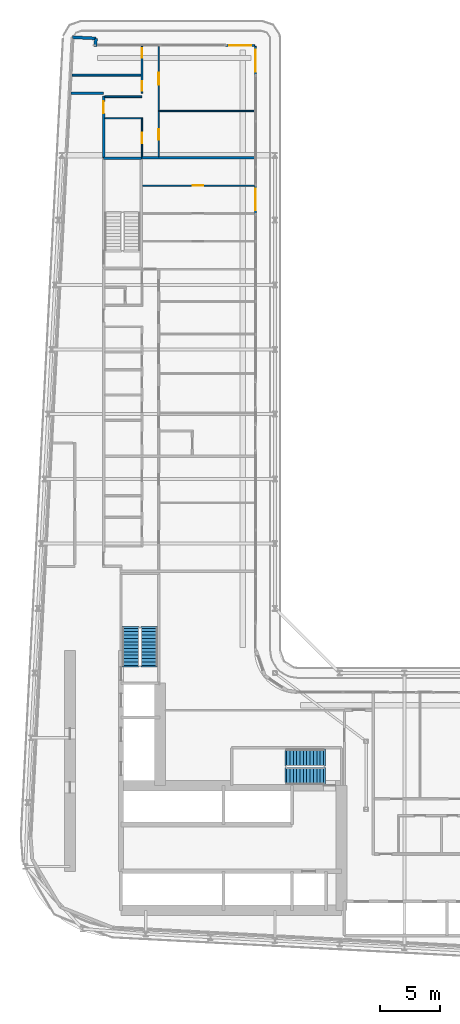
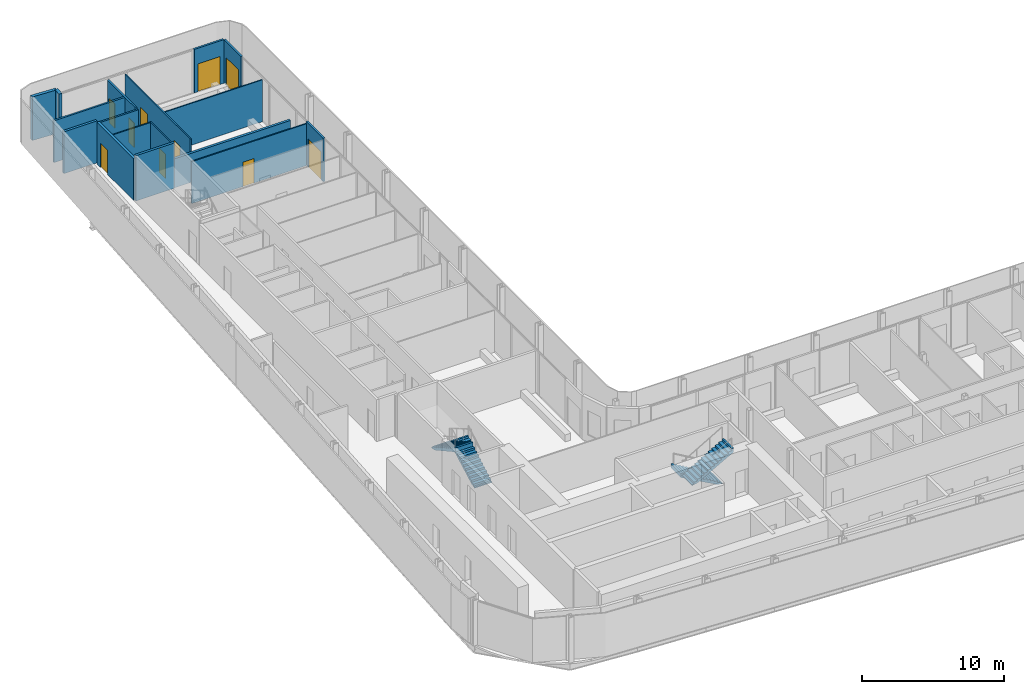
# One storey, part 20 of 28: 17 walls, 10 doors, 4 stair flights, 10 openings, 2 elements without a shape of their own.
"""IFC4 building model written with IfcOpenShell, lengths in metres."""

import ifcopenshell
import ifcopenshell.guid

model = None  # the IFC model being written
_history = None  # IfcOwnerHistory: only IFC2X3 demands one
_inside = {}  # id of a spatial element -> (the spatial element, [elements in it])
_under = {}  # id of a project, library or spatial element -> (it, [spatial elements below it])
_declared = {}  # id of a project -> (the project, [libraries it declares])
_typed = {}  # id of a type object -> (the type object, [elements of that type])
_made_of = {}  # id of a material, layer set ... -> (it, [elements and type objects made of it])


def new_model(schema):
    """Start an empty IFC model of exactly this schema.

    Asked for "IFC4X3", IfcOpenShell would pick the latest addendum, in which some entities
    have other attributes; the version numbers below select the first issue.
    IFC2X3 requires an IfcOwnerHistory on every rooted entity: one is made here for all.
    """
    global model, _history
    if schema == "IFC4X3":
        model = ifcopenshell.file(schema_version=(4, 3, 0, 0))
    else:
        model = ifcopenshell.file(schema=schema)
    _inside.clear()
    _under.clear()
    _declared.clear()
    _typed.clear()
    _made_of.clear()
    _history = None
    if model.schema == "IFC2X3":
        org = make("IfcOrganization", Name="unknown")
        user = make(
            "IfcPersonAndOrganization",
            ThePerson=make("IfcPerson", FamilyName="unknown"),
            TheOrganization=org,
        )
        app = make(
            "IfcApplication",
            ApplicationDeveloper=org,
            Version="unknown",
            ApplicationFullName="unknown",
            ApplicationIdentifier="unknown",
        )
        _history = make(
            "IfcOwnerHistory",
            OwningUser=user,
            OwningApplication=app,
            ChangeAction="ADDED",
            CreationDate=0,
        )
    return model


def make(cls, **values):
    """One entity of the class cls with the attributes given. An attribute that is None is left unset."""
    return model.create_entity(
        cls, **{name: value for name, value in values.items() if value is not None}
    )


def rooted(cls, **values):
    """An entity with a GlobalId (a new one), such as an element, a storey or a relation."""
    return make(cls, GlobalId=ifcopenshell.guid.new(), OwnerHistory=_history, **values)


def si_unit(unit_type, name, prefix=None):
    """IfcSIUnit, for example si_unit("LENGTHUNIT", "METRE", prefix="MILLI")."""
    return make("IfcSIUnit", UnitType=unit_type, Prefix=prefix, Name=name)


def assignment(units):
    """IfcUnitAssignment: the units of a project."""
    return None if units is None else make("IfcUnitAssignment", Units=units)


def point(xyz):
    """IfcCartesianPoint."""
    return None if xyz is None else make("IfcCartesianPoint", Coordinates=xyz)


def direction(xyz):
    """IfcDirection."""
    return None if xyz is None else make("IfcDirection", DirectionRatios=xyz)


def frame(location, z_axis=None, x_axis=None):
    """IfcAxis2Placement3D, a coordinate frame: its origin and axes. An axis left out is left unset."""
    return make(
        "IfcAxis2Placement3D",
        Location=point(location),
        Axis=direction(z_axis),
        RefDirection=direction(x_axis),
    )


def frame_2d(location, x_axis=None):
    """IfcAxis2Placement2D, a coordinate frame in the plane: its origin and x axis."""
    return make(
        "IfcAxis2Placement2D", Location=point(location), RefDirection=direction(x_axis)
    )


def origin():
    """The frame at (0, 0, 0) with its axes left unset."""
    return frame((0.0, 0.0, 0.0))


def place(relative_to, where):
    """IfcLocalPlacement: puts the frame where relative to a parent placement (None: the world)."""
    return make(
        "IfcLocalPlacement", PlacementRelTo=relative_to, RelativePlacement=where
    )


def context(
    kind, dimensions, precision=None, world=None, true_north=None, identifier=None
):
    """IfcGeometricRepresentationContext, for example the 3D "Model" context."""
    return make(
        "IfcGeometricRepresentationContext",
        ContextIdentifier=identifier,
        ContextType=kind,
        CoordinateSpaceDimension=dimensions,
        Precision=precision,
        WorldCoordinateSystem=world,
        TrueNorth=true_north,
    )


def subcontext(parent, identifier, kind, view, scale=None):
    """IfcGeometricRepresentationSubContext, for example "Body" below "Model"."""
    return make(
        "IfcGeometricRepresentationSubContext",
        ContextIdentifier=identifier,
        ContextType=kind,
        ParentContext=parent,
        TargetScale=scale,
        TargetView=view,
    )


def project(units=None, contexts=None):
    """IfcProject with its units and contexts."""
    return rooted(
        "IfcProject",
        Name="project",
        RepresentationContexts=contexts,
        UnitsInContext=assignment(units),
    )


def spatial(cls, under=None, at=None, **own):
    """A site, building, storey or space (cls), placed at a placement, below another one or the project."""
    s = rooted(cls, ObjectPlacement=at, **own)
    if under is not None:
        _under.setdefault(under.id(), (under, []))[1].append(s)
    return s


def polyline(points):
    """IfcPolyline through the points."""
    return make("IfcPolyline", Points=[point(p) for p in points])


def profile(cls, at=None, kind="AREA", **sizes):
    """A parametric profile (cls). Its sizes go by their IFC names, for example OverallWidth=200.0."""
    return make(cls, ProfileType=kind, Position=at, **sizes)


def rectangle(**sizes):
    """IfcRectangleProfileDef."""
    return profile("IfcRectangleProfileDef", **sizes)


def outline(outer, holes=None, kind="AREA"):
    """IfcArbitraryClosedProfileDef: a profile drawn as a closed curve; with holes, ...WithVoids."""
    if holes is None:
        return make("IfcArbitraryClosedProfileDef", ProfileType=kind, OuterCurve=outer)
    return make(
        "IfcArbitraryProfileDefWithVoids",
        ProfileType=kind,
        OuterCurve=outer,
        InnerCurves=holes,
    )


def extrude(swept, where, along, depth):
    """IfcExtrudedAreaSolid: the profile swept, set in the frame where, extruded along a direction by depth."""
    return make(
        "IfcExtrudedAreaSolid",
        SweptArea=swept,
        Position=where,
        ExtrudedDirection=direction(along),
        Depth=depth,
    )


def shape(context_of_items, identifier, shape_type, items):
    """IfcShapeRepresentation: the items that make up one representation, for example the "Body"."""
    return make(
        "IfcShapeRepresentation",
        ContextOfItems=context_of_items,
        RepresentationIdentifier=identifier,
        RepresentationType=shape_type,
        Items=items,
    )


def source(mapping_origin, context_of_items, identifier, shape_type, items):
    """IfcRepresentationMap: a shape defined once, which mapped items show again and again."""
    return make(
        "IfcRepresentationMap",
        MappingOrigin=mapping_origin,
        MappedRepresentation=shape(context_of_items, identifier, shape_type, items),
    )


def transform(
    local_origin,
    x_axis=None,
    y_axis=None,
    z_axis=None,
    scale=None,
    scale2=None,
    scale3=None,
    uniform=True,
):
    """IfcCartesianTransformationOperator3D, or its non-uniform kind. x_axis, y_axis, z_axis: its Axis1, 2, 3."""
    if uniform:
        return make(
            "IfcCartesianTransformationOperator3D",
            Axis1=direction(x_axis),
            Axis2=direction(y_axis),
            LocalOrigin=point(local_origin),
            Scale=scale,
            Axis3=direction(z_axis),
        )
    return make(
        "IfcCartesianTransformationOperator3DnonUniform",
        Axis1=direction(x_axis),
        Axis2=direction(y_axis),
        LocalOrigin=point(local_origin),
        Scale=scale,
        Axis3=direction(z_axis),
        Scale2=scale2,
        Scale3=scale3,
    )


def mapped(mapping_source, mapping_target):
    """IfcMappedItem: shows the shape of a source again, moved by a transform."""
    return make(
        "IfcMappedItem", MappingSource=mapping_source, MappingTarget=mapping_target
    )


def material(Name=None, Category=None):
    """IfcMaterial."""
    return make("IfcMaterial", Name=Name, Category=Category)


def layer(
    of_material, thickness, ventilated=None, Name=None, Category=None, Priority=None
):
    """IfcMaterialLayer: one layer of a wall or slab, of a material (None: an air gap)."""
    return make(
        "IfcMaterialLayer",
        Material=of_material,
        LayerThickness=thickness,
        IsVentilated=ventilated,
        Name=Name,
        Category=Category,
        Priority=Priority,
    )


def layer_set(layers, Name=None):
    """IfcMaterialLayerSet."""
    return make("IfcMaterialLayerSet", MaterialLayers=layers, LayerSetName=Name)


def made_of(thing, what):
    """Note that an element or type object is made of a material, layer set ...; save() writes the relation."""
    if what is not None:
        _made_of.setdefault(what.id(), (what, []))[1].append(thing)
    return thing


def type_object(cls, material=None, **own):
    """A type object (cls), such as IfcWallType, which elements share."""
    return made_of(rooted(cls, **own), material)


def element(
    cls,
    number,
    at=None,
    inside=None,
    cuts=None,
    type_object=None,
    material=None,
    context=None,
    identifier="Body",
    shape_type=None,
    held_by="IfcProductDefinitionShape",
    body=None,
    shapes=None,
    **own,
):
    """One element of the class cls, such as IfcWall. Its Tag is "e" and its number.

    at: its placement. inside: the storey or other place that contains it. cuts: it is an
    opening in that element (IfcRelVoidsElement). A single representation is given by context,
    identifier, shape_type and body (its items); several are given by shapes. held_by: the class
    of the entity that holds the representations. save() writes the other relations.
    """
    e = rooted(cls, Tag="e%d" % number, ObjectPlacement=at, **own)
    if body is not None:
        shapes = [shape(context, identifier, shape_type, body)]
    if shapes is not None:
        e.Representation = make(held_by, Representations=shapes)
    if inside is not None:
        _inside.setdefault(inside.id(), (inside, []))[1].append(e)
    if cuts is not None:
        rooted(
            "IfcRelVoidsElement", RelatingBuildingElement=cuts, RelatedOpeningElement=e
        )
    if type_object is not None:
        _typed.setdefault(type_object.id(), (type_object, []))[1].append(e)
    return made_of(e, material)


def fill(opening, filler):
    """IfcRelFillsElement: the door or window that sits in an opening."""
    return rooted(
        "IfcRelFillsElement",
        RelatingOpeningElement=opening,
        RelatedBuildingElement=filler,
    )


def aggregate(whole, parts):
    """IfcRelAggregates: a whole, such as a stair, and the parts it consists of."""
    return rooted("IfcRelAggregates", RelatingObject=whole, RelatedObjects=parts)


def save(model, path):
    """Write the relations noted so far, then the file.

    IfcRelAggregates (storeys below a building ...), IfcRelContainedInSpatialStructure (elements
    in a storey), IfcRelDefinesByType, IfcRelAssociatesMaterial and IfcRelDeclares: one each for
    every whole, place, type object, material and project.
    """
    for whole, parts in _under.values():
        aggregate(whole, parts)
    for where, things in _inside.values():
        rooted(
            "IfcRelContainedInSpatialStructure",
            RelatedElements=things,
            RelatingStructure=where,
        )
    for kind, things in _typed.values():
        rooted("IfcRelDefinesByType", RelatedObjects=things, RelatingType=kind)
    for what, things in _made_of.values():
        rooted("IfcRelAssociatesMaterial", RelatedObjects=things, RelatingMaterial=what)
    for by, libraries in _declared.values():
        rooted("IfcRelDeclares", RelatingContext=by, RelatedDefinitions=libraries)
    model.write(path)


model = new_model("IFC4")

# Units and contexts
model_context = context("Model", 3, precision=1e-05, world=origin(), true_north=direction((0.0, 1.0)))
body_context = subcontext(model_context, "Body", "Model", "MODEL_VIEW")
ifc_project = project(units=[si_unit("LENGTHUNIT", "METRE"), si_unit("AREAUNIT", "SQUARE_METRE"), si_unit("VOLUMEUNIT", "CUBIC_METRE"), si_unit("PLANEANGLEUNIT", "RADIAN"), si_unit("MASSUNIT", "GRAM", prefix="KILO")], contexts=[model_context])

# Site, building, storey
site_placement = place(None, origin())
site = spatial("IfcSite", under=ifc_project, at=site_placement, CompositionType="ELEMENT")
building_placement = place(site_placement, origin())
building = spatial("IfcBuilding", under=site, at=building_placement, Name="Kheshtan School and Residences Tower", CompositionType="ELEMENT")
storey_placement = place(building_placement, frame((0.0, 0.0, 125.300048828125)))
storey = spatial("IfcBuildingStorey", under=building, at=storey_placement, Name="L29", CompositionType="ELEMENT", Elevation=125.300048828125)

# Wall
ifc_material_1 = material(Name="Gypsum board on steel studs with fire boards", Category="steel")
ifc_layer_1 = layer(ifc_material_1, 0.199951171875)
ifc_layer_set_1 = layer_set([ifc_layer_1], Name="Corridor wall 200")
wall_type_1 = type_object("IfcWallType", Name="Corridor wall 200", PredefinedType="PARTITIONING", material=ifc_layer_set_1)
wall_1_placement = place(storey_placement, frame((30.584716796875, 94.0, 0.0), z_axis=(0.0, 0.0, 1.0), x_axis=(1.0, 0.0, 0.0)))
element("IfcWall", 1, at=wall_1_placement, inside=storey, type_object=wall_type_1, Name="Partition L29-002", PredefinedType="PARTITIONING", context=body_context, shape_type="SweptSolid", body=[
    extrude(rectangle(XDim=2.71533203125, YDim=0.199951171875, at=frame_2d((1.357666015625, 0.0))), origin(), (0.0, 0.0, 1.0), 3.599853515625),
])

# Wall, opening, door
wall_2_placement = place(storey_placement, frame((33.300048828125, 88.60009765625, 0.0), z_axis=(0.0, 0.0, 1.0), x_axis=(0.0, 1.0, 0.0)))
wall_2 = element("IfcWall", 2, at=wall_2_placement, inside=storey, type_object=wall_type_1, Name="Partition L29-004", PredefinedType="PARTITIONING", context=body_context, shape_type="SweptSolid", body=[
    extrude(rectangle(XDim=5.1748046875, YDim=0.199951171875, at=frame_2d((2.58740234375, 0.0))), origin(), (0.0, 0.0, 1.0), 3.599853515625),
])
opening_1_placement = place(wall_2_placement, frame((3.699951171875, 0.0, 0.0)))
opening_1 = element("IfcOpeningElement", 3, at=opening_1_placement, cuts=wall_2, Name="Opening D29-059", PredefinedType="OPENING", context=body_context, shape_type="SweptSolid", body=[
    extrude(rectangle(XDim=1.0, YDim=2.10009765625, at=frame_2d((0.5, 1.050048828125))), frame((0.0, 0.10986328125, 0.0), z_axis=(0.0, -1.0, 0.0), x_axis=(1.0, 0.0, 0.0)), (0.0, 0.0, 1.0), 0.219970703125),
])
ifc_material_2 = material(Name="Steel-framed fire-resisting door leaf", Category="steel")
door_type_1 = type_object("IfcDoorType", Name="Fire door FD30S 1000 x 2100", OperationType="SINGLE_SWING_LEFT", PredefinedType="DOOR", material=ifc_material_2)
shared_shape_1 = source(origin(), body_context, "Body", "SweptSolid", [
    extrude(rectangle(XDim=1.0, YDim=2.10009765625, at=frame_2d((0.5, 1.050048828125))), frame((0.0, 0.02490234375, 0.0), z_axis=(0.0, -1.0, 0.0), x_axis=(1.0, 0.0, 0.0)), (0.0, 0.0, 1.0), 0.050048828125),
])
door_1_placement = place(opening_1_placement, origin())
door_1 = element("IfcDoor", 4, at=door_1_placement, inside=storey, type_object=door_type_1, Name="Door D29-059", OperationType="SINGLE_SWING_RIGHT", OverallHeight=2.10009765625, OverallWidth=1.0, PredefinedType="DOOR", context=body_context, shape_type="MappedRepresentation", body=[
    mapped(shared_shape_1, transform((0.0, 0.0, 0.0), x_axis=(1.0, 0.0, 0.0), y_axis=(0.0, 1.0, 0.0), z_axis=(0.0, 0.0, 1.0), scale=1.0)),
])
fill(opening_1, door_1)

# Walls
ifc_material_3 = material(Name="Concrete C40/50 with ceramic cladding and mineral wool insulation", Category="concrete")
ifc_layer_2 = layer(ifc_material_3, 0.25)
ifc_layer_set_2 = layer_set([ifc_layer_2], Name="External wall 250 ceramic clad")
wall_type_2 = type_object("IfcWallType", Name="External wall 250 ceramic clad", PredefinedType="SOLIDWALL", material=ifc_layer_set_2)
wall_3_placement = place(storey_placement, frame((30.705078125, 98.6640625, 0.0), z_axis=(0.0, 0.0, 1.0), x_axis=(0.998577785791, -0.053314216913, 0.0)))
element("IfcWall", 5, at=wall_3_placement, inside=storey, type_object=wall_type_2, Name="External wall L29 5", PredefinedType="SOLIDWALL", context=body_context, shape_type="SweptSolid", body=[
    extrude(rectangle(XDim=1.95068359375, YDim=0.25, at=frame_2d((0.975341796875, 0.0))), origin(), (0.0, 0.0, 1.0), 3.75),
])
wall_4_placement = place(storey_placement, frame((32.653076171875, 98.56005859375, 0.0), z_axis=(0.0, 0.0, 1.0), x_axis=(-0.054093451632, -0.998535877418, 0.0)))
element("IfcWall", 6, at=wall_4_placement, inside=storey, type_object=wall_type_2, Name="External wall L29 6", PredefinedType="SOLIDWALL", context=body_context, shape_type="SweptSolid", body=[
    extrude(rectangle(XDim=0.66796875, YDim=0.25, at=frame_2d((0.333984375, 0.0))), origin(), (0.0, 0.0, 1.0), 3.75),
])

# Wall, opening, door
ifc_material_4 = material(Name="Aluminium frame wall with insulated infill", Category="aluminium")
ifc_layer_3 = layer(ifc_material_4, 0.14990234375)
ifc_layer_set_3 = layer_set([ifc_layer_3], Name="Glazing frame wall 150")
wall_type_3 = type_object("IfcWallType", Name="Glazing frame wall 150", PredefinedType="SOLIDWALL", material=ifc_layer_set_3)
wall_5_placement = place(storey_placement, frame((43.5, 97.97509765625, 0.0), z_axis=(0.0, 0.0, 1.0), x_axis=(1.0, 0.0, 0.0)))
wall_5 = element("IfcWall", 7, at=wall_5_placement, inside=storey, type_object=wall_type_3, Name="Balcony door wall L29 7.1", PredefinedType="SOLIDWALL", context=body_context, shape_type="SweptSolid", body=[
    extrude(rectangle(XDim=2.39990234375, YDim=0.14990234375, at=frame_2d((1.199951171875, 0.0))), origin(), (0.0, 0.0, 1.0), 3.75),
])
opening_2_placement = place(wall_5_placement, frame((0.300048828125, 0.0, 0.0)))
opening_2 = element("IfcOpeningElement", 8, at=opening_2_placement, cuts=wall_5, Name="Opening BD", PredefinedType="OPENING", context=body_context, shape_type="SweptSolid", body=[
    extrude(rectangle(XDim=1.800048828125, YDim=2.39990234375, at=frame_2d((0.89990234375, 1.199951171875))), frame((0.0, 0.0849609375, 0.0), z_axis=(0.0, -1.0, 0.0), x_axis=(1.0, 0.0, 0.0)), (0.0, 0.0, 1.0), 0.169921875),
])
ifc_material_5 = material(Name="Clear low-e glass in thermally broken aluminium frame", Category="aluminium")
door_type_2 = type_object("IfcDoorType", Name="Balcony sliding door", OperationType="SLIDING_TO_LEFT", PredefinedType="DOOR", material=ifc_material_5)
shared_shape_2 = source(origin(), body_context, "Body", "SweptSolid", [
    extrude(rectangle(XDim=1.800048828125, YDim=2.39990234375, at=frame_2d((0.89990234375, 1.199951171875))), frame((0.0, 0.02490234375, 0.0), z_axis=(0.0, -1.0, 0.0), x_axis=(1.0, 0.0, 0.0)), (0.0, 0.0, 1.0), 0.050048828125),
])
door_2_placement = place(opening_2_placement, origin())
door_2 = element("IfcDoor", 9, at=door_2_placement, inside=storey, type_object=door_type_2, Name="Balcony door L29 7.1", OperationType="SLIDING_TO_LEFT", OverallHeight=2.39990234375, OverallWidth=1.800048828125, PredefinedType="DOOR", context=body_context, shape_type="MappedRepresentation", body=[
    mapped(shared_shape_2, transform((0.0, 0.0, 0.0), x_axis=(1.0, 0.0, 0.0), y_axis=(0.0, 1.0, 0.0), z_axis=(0.0, 0.0, 1.0), scale=1.0)),
])
fill(opening_2, door_2)

wall_6_placement = place(storey_placement, frame((45.97509765625, 97.89990234375, 0.0), z_axis=(0.0, 0.0, 1.0), x_axis=(0.0, -1.0, 0.0)))
wall_6 = element("IfcWall", 10, at=wall_6_placement, inside=storey, type_object=wall_type_3, Name="Balcony door wall L29 8.1", PredefinedType="SOLIDWALL", context=body_context, shape_type="SweptSolid", body=[
    extrude(rectangle(XDim=2.39990234375, YDim=0.14990234375, at=frame_2d((1.199951171875, 0.0))), origin(), (0.0, 0.0, 1.0), 3.75),
])
opening_3_placement = place(wall_6_placement, frame((0.300048828125, 0.0, 0.0)))
opening_3 = element("IfcOpeningElement", 11, at=opening_3_placement, cuts=wall_6, Name="Opening BD", PredefinedType="OPENING", context=body_context, shape_type="SweptSolid", body=[
    extrude(rectangle(XDim=1.800048828125, YDim=2.39990234375, at=frame_2d((0.89990234375, 1.199951171875))), frame((0.0, 0.0849609375, 0.0), z_axis=(0.0, -1.0, 0.0), x_axis=(1.0, 0.0, 0.0)), (0.0, 0.0, 1.0), 0.169921875),
])
door_3_placement = place(opening_3_placement, origin())
door_3 = element("IfcDoor", 12, at=door_3_placement, inside=storey, type_object=door_type_2, Name="Balcony door L29 8.1", OperationType="SLIDING_TO_LEFT", OverallHeight=2.39990234375, OverallWidth=1.800048828125, PredefinedType="DOOR", context=body_context, shape_type="MappedRepresentation", body=[
    mapped(shared_shape_2, transform((0.0, 0.0, 0.0), x_axis=(1.0, 0.0, 0.0), y_axis=(0.0, 1.0, 0.0), z_axis=(0.0, 0.0, 1.0), scale=1.0)),
])
fill(opening_3, door_3)

wall_7_placement = place(storey_placement, frame((45.97509765625, 86.305908203125, 0.0), z_axis=(0.0, 0.0, 1.0), x_axis=(0.0, -1.0, 0.0)))
wall_7 = element("IfcWall", 13, at=wall_7_placement, inside=storey, type_object=wall_type_3, Name="Balcony door wall L29 8.2", PredefinedType="SOLIDWALL", context=body_context, shape_type="SweptSolid", body=[
    extrude(rectangle(XDim=2.39990234375, YDim=0.14990234375, at=frame_2d((1.199951171875, 0.0))), origin(), (0.0, 0.0, 1.0), 3.75),
])
opening_4_placement = place(wall_7_placement, frame((0.300048828125, 0.0, 0.0)))
opening_4 = element("IfcOpeningElement", 14, at=opening_4_placement, cuts=wall_7, Name="Opening BD", PredefinedType="OPENING", context=body_context, shape_type="SweptSolid", body=[
    extrude(rectangle(XDim=1.800048828125, YDim=2.39990234375, at=frame_2d((0.89990234375, 1.199951171875))), frame((0.0, 0.0849609375, 0.0), z_axis=(0.0, -1.0, 0.0), x_axis=(1.0, 0.0, 0.0)), (0.0, 0.0, 1.0), 0.169921875),
])
door_4_placement = place(opening_4_placement, origin())
door_4 = element("IfcDoor", 15, at=door_4_placement, inside=storey, type_object=door_type_2, Name="Balcony door L29 8.2", OperationType="SLIDING_TO_LEFT", OverallHeight=2.39990234375, OverallWidth=1.800048828125, PredefinedType="DOOR", context=body_context, shape_type="MappedRepresentation", body=[
    mapped(shared_shape_2, transform((0.0, 0.0, 0.0), x_axis=(1.0, 0.0, 0.0), y_axis=(0.0, 1.0, 0.0), z_axis=(0.0, 0.0, 1.0), scale=1.0)),
])
fill(opening_4, door_4)

# Wall
ifc_material_6 = material(Name="Gypsum board on steel studs", Category="steel")
ifc_layer_4 = layer(ifc_material_6, 0.10009765625)
ifc_layer_set_4 = layer_set([ifc_layer_4], Name="Gypsum partition 100")
wall_type_4 = type_object("IfcWallType", Name="Gypsum partition 100", PredefinedType="PARTITIONING", material=ifc_layer_set_4)
wall_8_placement = place(storey_placement, frame((33.39990234375, 91.89990234375, 0.0), z_axis=(0.0, 0.0, 1.0), x_axis=(1.0, 0.0, 0.0)))
element("IfcWall", 16, at=wall_8_placement, inside=storey, type_object=wall_type_4, Name="Partition L29-018", PredefinedType="PARTITIONING", context=body_context, shape_type="SweptSolid", body=[
    extrude(rectangle(XDim=3.050048828125, YDim=0.10009765625, at=frame_2d((1.52490234375, 0.0))), origin(), (0.0, 0.0, 1.0), 3.599853515625),
])

# Wall, opening, door
wall_9_placement = place(storey_placement, frame((36.5, 88.699951171875, 0.0), z_axis=(0.0, 0.0, 1.0), x_axis=(0.0, 1.0, 0.0)))
wall_9 = element("IfcWall", 17, at=wall_9_placement, inside=storey, type_object=wall_type_4, Name="Partition L29-027", PredefinedType="PARTITIONING", context=body_context, shape_type="SweptSolid", body=[
    extrude(rectangle(XDim=3.25, YDim=0.10009765625, at=frame_2d((1.625, 0.0))), origin(), (0.0, 0.0, 1.0), 3.599853515625),
])
opening_5_placement = place(wall_9_placement, frame((1.10009765625, 0.0, 0.0)))
opening_5 = element("IfcOpeningElement", 18, at=opening_5_placement, cuts=wall_9, Name="Opening D29-060", PredefinedType="OPENING", context=body_context, shape_type="SweptSolid", body=[
    extrude(rectangle(XDim=0.89990234375, YDim=2.10009765625, at=frame_2d((0.449951171875, 1.050048828125))), frame((0.0, 0.06005859375, 0.0), z_axis=(0.0, -1.0, 0.0), x_axis=(1.0, 0.0, 0.0)), (0.0, 0.0, 1.0), 0.1201171875),
])
ifc_material_7 = material(Name="Veneered timber door leaf", Category="wood")
door_type_3 = type_object("IfcDoorType", Name="Door 900 x 2100", OperationType="SINGLE_SWING_LEFT", PredefinedType="DOOR", material=ifc_material_7)
shared_shape_3 = source(origin(), body_context, "Body", "SweptSolid", [
    extrude(rectangle(XDim=0.89990234375, YDim=2.10009765625, at=frame_2d((0.449951171875, 1.050048828125))), frame((0.0, 0.02490234375, 0.0), z_axis=(0.0, -1.0, 0.0), x_axis=(1.0, 0.0, 0.0)), (0.0, 0.0, 1.0), 0.050048828125),
])
door_5_placement = place(opening_5_placement, origin())
door_5 = element("IfcDoor", 19, at=door_5_placement, inside=storey, type_object=door_type_3, Name="Door D29-060", OperationType="SINGLE_SWING_LEFT", OverallHeight=2.10009765625, OverallWidth=0.89990234375, PredefinedType="DOOR", context=body_context, shape_type="MappedRepresentation", body=[
    mapped(shared_shape_3, transform((0.0, 0.0, 0.0), x_axis=(1.0, 0.0, 0.0), y_axis=(0.0, 1.0, 0.0), z_axis=(0.0, 0.0, 1.0), scale=1.0)),
])
fill(opening_5, door_5)

wall_10_placement = place(storey_placement, frame((36.549072265625, 86.27490234375, 0.0), z_axis=(0.0, 0.0, 1.0), x_axis=(1.0, 0.0, 0.0)))
wall_10 = element("IfcWall", 20, at=wall_10_placement, inside=storey, type_object=wall_type_4, Name="Partition L29-031", PredefinedType="PARTITIONING", context=body_context, shape_type="SweptSolid", body=[
    extrude(rectangle(XDim=9.350830078125, YDim=0.10009765625, at=frame_2d((4.67529296875, 0.0))), origin(), (0.0, 0.0, 1.0), 3.599853515625),
])
opening_6_placement = place(wall_10_placement, frame((4.176025390625, 0.0, 0.0)))
opening_6 = element("IfcOpeningElement", 21, at=opening_6_placement, cuts=wall_10, Name="Opening D29-056", PredefinedType="OPENING", context=body_context, shape_type="SweptSolid", body=[
    extrude(rectangle(XDim=0.89990234375, YDim=2.10009765625, at=frame_2d((0.449951171875, 1.050048828125))), frame((0.0, 0.06005859375, 0.0), z_axis=(0.0, -1.0, 0.0), x_axis=(1.0, 0.0, 0.0)), (0.0, 0.0, 1.0), 0.1201171875),
])
door_6_placement = place(opening_6_placement, origin())
door_6 = element("IfcDoor", 22, at=door_6_placement, inside=storey, type_object=door_type_3, Name="Door D29-056", OperationType="SINGLE_SWING_RIGHT", OverallHeight=2.10009765625, OverallWidth=0.89990234375, PredefinedType="DOOR", context=body_context, shape_type="MappedRepresentation", body=[
    mapped(shared_shape_3, transform((0.0, 0.0, 0.0), x_axis=(1.0, 0.0, 0.0), y_axis=(0.0, 1.0, 0.0), z_axis=(0.0, 0.0, 1.0), scale=1.0)),
])
fill(opening_6, door_6)

# Wall, openings, doors
wall_11_placement = place(storey_placement, frame((37.89990234375, 88.699951171875, 0.0), z_axis=(0.0, 0.0, 1.0), x_axis=(0.0, 1.0, 0.0)))
wall_11 = element("IfcWall", 23, at=wall_11_placement, inside=storey, type_object=wall_type_4, Name="Partition L29-034", PredefinedType="PARTITIONING", context=body_context, shape_type="SweptSolid", body=[
    extrude(rectangle(XDim=9.199951171875, YDim=0.10009765625, at=frame_2d((4.60009765625, 0.0))), origin(), (0.0, 0.0, 1.0), 3.599853515625),
])
opening_7_placement = place(wall_11_placement, frame((1.39990234375, 0.0, 0.0)))
opening_7 = element("IfcOpeningElement", 24, at=opening_7_placement, cuts=wall_11, Name="Opening D29-058", PredefinedType="OPENING", context=body_context, shape_type="SweptSolid", body=[
    extrude(rectangle(XDim=0.89990234375, YDim=2.10009765625, at=frame_2d((0.449951171875, 1.050048828125))), frame((0.0, 0.06005859375, 0.0), z_axis=(0.0, -1.0, 0.0), x_axis=(1.0, 0.0, 0.0)), (0.0, 0.0, 1.0), 0.1201171875),
])
opening_8_placement = place(wall_11_placement, frame((6.0, 0.0, 0.0)))
opening_8 = element("IfcOpeningElement", 25, at=opening_8_placement, cuts=wall_11, Name="Opening D29-061", PredefinedType="OPENING", context=body_context, shape_type="SweptSolid", body=[
    extrude(rectangle(XDim=1.0, YDim=2.10009765625, at=frame_2d((0.5, 1.050048828125))), frame((0.0, 0.06005859375, 0.0), z_axis=(0.0, -1.0, 0.0), x_axis=(1.0, 0.0, 0.0)), (0.0, 0.0, 1.0), 0.1201171875),
])
door_type_4 = type_object("IfcDoorType", Name="Door 1000 x 2100", OperationType="SINGLE_SWING_LEFT", PredefinedType="DOOR", material=ifc_material_7)
shared_shape_4 = source(origin(), body_context, "Body", "SweptSolid", [
    extrude(rectangle(XDim=1.0, YDim=2.10009765625, at=frame_2d((0.5, 1.050048828125))), frame((0.0, 0.02490234375, 0.0), z_axis=(0.0, -1.0, 0.0), x_axis=(1.0, 0.0, 0.0)), (0.0, 0.0, 1.0), 0.050048828125),
])
door_7_placement = place(opening_8_placement, origin())
door_7 = element("IfcDoor", 26, at=door_7_placement, inside=storey, type_object=door_type_4, Name="Door D29-061", OperationType="SINGLE_SWING_RIGHT", OverallHeight=2.10009765625, OverallWidth=1.0, PredefinedType="DOOR", context=body_context, shape_type="MappedRepresentation", body=[
    mapped(shared_shape_4, transform((0.0, 0.0, 0.0), x_axis=(1.0, 0.0, 0.0), y_axis=(0.0, 1.0, 0.0), z_axis=(0.0, 0.0, 1.0), scale=1.0)),
])
fill(opening_8, door_7)
door_8_placement = place(opening_7_placement, origin())
door_8 = element("IfcDoor", 27, at=door_8_placement, inside=storey, type_object=door_type_3, Name="Door D29-058", OperationType="SINGLE_SWING_LEFT", OverallHeight=2.10009765625, OverallWidth=0.89990234375, PredefinedType="DOOR", context=body_context, shape_type="MappedRepresentation", body=[
    mapped(shared_shape_3, transform((0.0, 0.0, 0.0), x_axis=(1.0, 0.0, 0.0), y_axis=(0.0, 1.0, 0.0), z_axis=(0.0, 0.0, 1.0), scale=1.0)),
])
fill(opening_7, door_8)

# Walls
wall_12_placement = place(storey_placement, frame((37.949951171875, 92.5, 0.0), z_axis=(0.0, 0.0, 1.0), x_axis=(1.0, 0.0, 0.0)))
element("IfcWall", 28, at=wall_12_placement, inside=storey, type_object=wall_type_4, Name="Partition L29-035", PredefinedType="PARTITIONING", context=body_context, shape_type="SweptSolid", body=[
    extrude(rectangle(XDim=7.949951171875, YDim=0.10009765625, at=frame_2d((3.97509765625, 0.0))), origin(), (0.0, 0.0, 1.0), 3.599853515625),
])
ifc_material_8 = material(Name="Concrete C40/50", Category="concrete")
ifc_layer_5 = layer(ifc_material_8, 0.199951171875)
ifc_layer_set_5 = layer_set([ifc_layer_5], Name="Stair enclosure wall 200 Concrete C40/50")
wall_type_5 = type_object("IfcWallType", Name="Stair enclosure wall 200 Concrete C40/50", PredefinedType="SHEAR", material=ifc_layer_set_5)
wall_13_placement = place(storey_placement, frame((33.300048828125, 88.56005859375, 0.0), z_axis=(0.0, 0.0, 1.0), x_axis=(1.0, 0.0, 0.0)))
element("IfcWall", 29, at=wall_13_placement, inside=storey, type_object=wall_type_5, Name="Stair enclosure wall ST3", PredefinedType="SHEAR", context=body_context, shape_type="SweptSolid", body=[
    extrude(rectangle(XDim=3.14990234375, YDim=0.199951171875, at=frame_2d((1.574951171875, 0.0))), origin(), (0.0, 0.0, 1.0), 3.89990234375),
])
ifc_material_9 = material(Name="Twin gypsum board on steel studs with mineral wool", Category="steel")
ifc_layer_6 = layer(ifc_material_9, 0.199951171875)
ifc_layer_set_6 = layer_set([ifc_layer_6], Name="Unit demising wall 200")
wall_type_6 = type_object("IfcWallType", Name="Unit demising wall 200", PredefinedType="PARTITIONING", material=ifc_layer_set_6)
wall_14_placement = place(storey_placement, frame((36.449951171875, 88.60009765625, 0.0), z_axis=(0.0, 0.0, 1.0), x_axis=(1.0, 0.0, 0.0)))
element("IfcWall", 30, at=wall_14_placement, inside=storey, type_object=wall_type_6, Name="Partition L29-023", PredefinedType="PARTITIONING", context=body_context, shape_type="SweptSolid", body=[
    extrude(rectangle(XDim=9.449951171875, YDim=0.199951171875, at=frame_2d((4.72509765625, 0.0))), origin(), (0.0, 0.0, 1.0), 2.5),
])
ifc_material_10 = material(Name="Moisture-resistant gypsum board on steel studs", Category="steel")
ifc_layer_7 = layer(ifc_material_10, 0.14990234375)
ifc_layer_set_7 = layer_set([ifc_layer_7], Name="Wet-room partition 150")
wall_type_7 = type_object("IfcWallType", Name="Wet-room partition 150", PredefinedType="PARTITIONING", material=ifc_layer_set_7)
wall_15_placement = place(storey_placement, frame((30.6640625, 95.5, 0.0), z_axis=(0.0, 0.0, 1.0), x_axis=(1.0, 0.0, 0.0)))
element("IfcWall", 31, at=wall_15_placement, inside=storey, type_object=wall_type_7, Name="Partition L29-001", PredefinedType="PARTITIONING", context=body_context, shape_type="SweptSolid", body=[
    extrude(rectangle(XDim=5.760986328125, YDim=0.14990234375, at=frame_2d((2.88037109375, 0.0))), origin(), (0.0, 0.0, 1.0), 3.599853515625),
])
wall_16_placement = place(storey_placement, frame((33.39990234375, 93.699951171875, 0.0), z_axis=(0.0, 0.0, 1.0), x_axis=(1.0, 0.0, 0.0)))
element("IfcWall", 32, at=wall_16_placement, inside=storey, type_object=wall_type_7, Name="Partition L29-019", PredefinedType="PARTITIONING", context=body_context, shape_type="SweptSolid", body=[
    extrude(rectangle(XDim=3.10009765625, YDim=0.14990234375, at=frame_2d((1.550048828125, 0.0))), origin(), (0.0, 0.0, 1.0), 3.599853515625),
])

# Wall, openings, doors
wall_17_placement = place(storey_placement, frame((36.5, 94.0, 0.0), z_axis=(0.0, 0.0, 1.0), x_axis=(0.0, 1.0, 0.0)))
wall_17 = element("IfcWall", 33, at=wall_17_placement, inside=storey, type_object=wall_type_7, Name="Partition L29-028", PredefinedType="PARTITIONING", context=body_context, shape_type="SweptSolid", body=[
    extrude(rectangle(XDim=3.89990234375, YDim=0.14990234375, at=frame_2d((1.949951171875, 0.0))), origin(), (0.0, 0.0, 1.0), 3.599853515625),
])
opening_9_placement = place(wall_17_placement, frame((2.949951171875, 0.0, 0.0)))
opening_9 = element("IfcOpeningElement", 34, at=opening_9_placement, cuts=wall_17, Name="Opening D29-057", PredefinedType="OPENING", context=body_context, shape_type="SweptSolid", body=[
    extrude(rectangle(XDim=0.800048828125, YDim=2.10009765625, at=frame_2d((0.39990234375, 1.050048828125))), frame((0.0, 0.0849609375, 0.0), z_axis=(0.0, -1.0, 0.0), x_axis=(1.0, 0.0, 0.0)), (0.0, 0.0, 1.0), 0.169921875),
])
opening_10_placement = place(wall_17_placement, frame((0.199951171875, 0.0, 0.0)))
opening_10 = element("IfcOpeningElement", 35, at=opening_10_placement, cuts=wall_17, Name="Opening D29-062", PredefinedType="OPENING", context=body_context, shape_type="SweptSolid", body=[
    extrude(rectangle(XDim=0.800048828125, YDim=2.10009765625, at=frame_2d((0.39990234375, 1.050048828125))), frame((0.0, 0.0849609375, 0.0), z_axis=(0.0, -1.0, 0.0), x_axis=(1.0, 0.0, 0.0)), (0.0, 0.0, 1.0), 0.169921875),
])
door_type_5 = type_object("IfcDoorType", Name="Door 800 x 2100", OperationType="SINGLE_SWING_LEFT", PredefinedType="DOOR", material=ifc_material_7)
shared_shape_5 = source(origin(), body_context, "Body", "SweptSolid", [
    extrude(rectangle(XDim=0.800048828125, YDim=2.10009765625, at=frame_2d((0.39990234375, 1.050048828125))), frame((0.0, 0.02490234375, 0.0), z_axis=(0.0, -1.0, 0.0), x_axis=(1.0, 0.0, 0.0)), (0.0, 0.0, 1.0), 0.050048828125),
])
door_9_placement = place(opening_9_placement, origin())
door_9 = element("IfcDoor", 36, at=door_9_placement, inside=storey, type_object=door_type_5, Name="Door D29-057", OperationType="SINGLE_SWING_LEFT", OverallHeight=2.10009765625, OverallWidth=0.800048828125, PredefinedType="DOOR", context=body_context, shape_type="MappedRepresentation", body=[
    mapped(shared_shape_5, transform((0.0, 0.0, 0.0), x_axis=(1.0, 0.0, 0.0), y_axis=(0.0, 1.0, 0.0), z_axis=(0.0, 0.0, 1.0), scale=1.0)),
])
fill(opening_9, door_9)
door_10_placement = place(opening_10_placement, origin())
door_10 = element("IfcDoor", 37, at=door_10_placement, inside=storey, type_object=door_type_5, Name="Door D29-062", OperationType="SINGLE_SWING_RIGHT", OverallHeight=2.10009765625, OverallWidth=0.800048828125, PredefinedType="DOOR", context=body_context, shape_type="MappedRepresentation", body=[
    mapped(shared_shape_5, transform((0.0, 0.0, 0.0), x_axis=(1.0, 0.0, 0.0), y_axis=(0.0, 1.0, 0.0), z_axis=(0.0, 0.0, 1.0), scale=1.0)),
])
fill(opening_10, door_10)

# Stair, stair flights
stair_type = type_object("IfcStairType", Name="Exit stair, half-turn", PredefinedType="HALF_TURN_STAIR", material=ifc_material_8)
stair_1_placement = place(storey_placement, origin())
stair_1 = element("IfcStair", 38, at=stair_1_placement, inside=storey, type_object=stair_type, Name="L29 Protected Exit Stair ST1", PredefinedType="HALF_TURN_STAIR")
ifc_layer_8 = layer(ifc_material_8, 0.14990234375)
ifc_layer_set_8 = layer_set([ifc_layer_8], Name="Stair flight 1400 Concrete C40/50")
stair_flight_type = type_object("IfcStairFlightType", Name="Stair flight 1400 Concrete C40/50", PredefinedType="STRAIGHT", material=ifc_layer_set_8)
stair_flight_1_placement = place(storey_placement, frame((51.64990234375, 38.550048828125, 0.0), z_axis=(0.0, 0.0, 1.0), x_axis=(-1.0, 0.0, 0.0)))
stair_flight_1 = element("IfcStairFlight", 39, at=stair_flight_1_placement, type_object=stair_flight_type, Name="ST1 flight 1", NumberOfRisers=12, NumberOfTreads=11, PredefinedType="STRAIGHT", RiserHeight=0.1625, TreadLength=0.28, context=body_context, shape_type="SweptSolid", body=[
    extrude(outline(polyline([(-0.14990234375, -0.10009765625), (-0.14990234375, 0.0), (0.0, 0.0), (0.0, 0.16259765625), (0.280029296875, 0.16259765625), (0.280029296875, 0.324951171875), (0.56005859375, 0.324951171875), (0.56005859375, 0.487548828125), (0.840087890625, 0.487548828125), (0.840087890625, 0.64990234375), (1.1201171875, 0.64990234375), (1.1201171875, 0.8125), (1.39990234375, 0.8125), (1.39990234375, 0.97509765625), (1.679931640625, 0.97509765625), (1.679931640625, 1.137451171875), (1.9599609375, 1.137451171875), (1.9599609375, 1.300048828125), (2.239990234375, 1.300048828125), (2.239990234375, 1.46240234375), (2.52001953125, 1.46240234375), (2.52001953125, 1.625), (2.800048828125, 1.625), (2.800048828125, 1.78759765625), (3.080078125, 1.78759765625), (3.080078125, 1.949951171875), (3.080078125, 1.969970703125), (3.22998046875, 1.969970703125), (3.22998046875, 1.6142578125), (0.298583984375, 0.0), (-0.14990234375, -0.10009765625)])), frame((0.0, 0.699951171875, 0.0), z_axis=(0.0, -1.0, 0.0), x_axis=(1.0, 0.0, 0.0)), (0.0, 0.0, 1.0), 1.39990234375),
])
stair_flight_2_placement = place(storey_placement, frame((48.570068359375, 37.0, 1.949951171875), z_axis=(0.0, 0.0, 1.0), x_axis=(1.0, 0.0, 0.0)))
stair_flight_2 = element("IfcStairFlight", 40, at=stair_flight_2_placement, type_object=stair_flight_type, Name="ST1 flight 2", NumberOfRisers=12, NumberOfTreads=11, PredefinedType="STRAIGHT", RiserHeight=0.1625, TreadLength=0.28, context=body_context, shape_type="SweptSolid", body=[
    extrude(outline(polyline([(-0.14990234375, -0.10009765625), (-0.14990234375, 0.0), (0.0, 0.0), (0.0, 0.16259765625), (0.280029296875, 0.16259765625), (0.280029296875, 0.324951171875), (0.56005859375, 0.324951171875), (0.56005859375, 0.487548828125), (0.840087890625, 0.487548828125), (0.840087890625, 0.64990234375), (1.1201171875, 0.64990234375), (1.1201171875, 0.8125), (1.39990234375, 0.8125), (1.39990234375, 0.97509765625), (1.679931640625, 0.97509765625), (1.679931640625, 1.137451171875), (1.9599609375, 1.137451171875), (1.9599609375, 1.300048828125), (2.239990234375, 1.300048828125), (2.239990234375, 1.46240234375), (2.52001953125, 1.46240234375), (2.52001953125, 1.625), (2.800048828125, 1.625), (2.800048828125, 1.78759765625), (3.080078125, 1.78759765625), (3.080078125, 1.949951171875), (3.080078125, 1.969970703125), (3.22998046875, 1.969970703125), (3.22998046875, 1.6142578125), (0.298583984375, 0.0), (-0.14990234375, -0.10009765625)])), frame((0.0, 0.699951171875, 0.0), z_axis=(0.0, -1.0, 0.0), x_axis=(1.0, 0.0, 0.0)), (0.0, 0.0, 1.0), 1.39990234375),
])
aggregate(stair_1, [stair_flight_1, stair_flight_2])

stair_2_placement = place(storey_placement, origin())
stair_2 = element("IfcStair", 41, at=stair_2_placement, inside=storey, type_object=stair_type, Name="L29 Protected Exit Stair ST2", PredefinedType="HALF_TURN_STAIR")
stair_flight_3_placement = place(storey_placement, frame((37.10009765625, 46.25, 0.0), z_axis=(0.0, 0.0, 1.0), x_axis=(0.0, 1.0, 0.0)))
stair_flight_3 = element("IfcStairFlight", 42, at=stair_flight_3_placement, type_object=stair_flight_type, Name="ST2 flight 1", NumberOfRisers=12, NumberOfTreads=11, PredefinedType="STRAIGHT", RiserHeight=0.1625, TreadLength=0.28, context=body_context, shape_type="SweptSolid", body=[
    extrude(outline(polyline([(-0.14990234375, -0.10009765625), (-0.14990234375, 0.0), (0.0, 0.0), (0.0, 0.16259765625), (0.280029296875, 0.16259765625), (0.280029296875, 0.324951171875), (0.56005859375, 0.324951171875), (0.56005859375, 0.487548828125), (0.840087890625, 0.487548828125), (0.840087890625, 0.64990234375), (1.1201171875, 0.64990234375), (1.1201171875, 0.8125), (1.39990234375, 0.8125), (1.39990234375, 0.97509765625), (1.679931640625, 0.97509765625), (1.679931640625, 1.137451171875), (1.9599609375, 1.137451171875), (1.9599609375, 1.300048828125), (2.239990234375, 1.300048828125), (2.239990234375, 1.46240234375), (2.52001953125, 1.46240234375), (2.52001953125, 1.625), (2.800048828125, 1.625), (2.800048828125, 1.78759765625), (3.080078125, 1.78759765625), (3.080078125, 1.949951171875), (3.080078125, 1.969970703125), (3.22998046875, 1.969970703125), (3.22998046875, 1.6142578125), (0.298583984375, 0.0), (-0.14990234375, -0.10009765625)])), frame((0.0, 0.699951171875, 0.0), z_axis=(0.0, -1.0, 0.0), x_axis=(1.0, 0.0, 0.0)), (0.0, 0.0, 1.0), 1.39990234375),
])
stair_flight_4_placement = place(storey_placement, frame((35.550048828125, 49.330078125, 1.949951171875), z_axis=(0.0, 0.0, 1.0), x_axis=(0.0, -1.0, 0.0)))
stair_flight_4 = element("IfcStairFlight", 43, at=stair_flight_4_placement, type_object=stair_flight_type, Name="ST2 flight 2", NumberOfRisers=12, NumberOfTreads=11, PredefinedType="STRAIGHT", RiserHeight=0.1625, TreadLength=0.28, context=body_context, shape_type="SweptSolid", body=[
    extrude(outline(polyline([(-0.14990234375, -0.10009765625), (-0.14990234375, 0.0), (0.0, 0.0), (0.0, 0.16259765625), (0.280029296875, 0.16259765625), (0.280029296875, 0.324951171875), (0.56005859375, 0.324951171875), (0.56005859375, 0.487548828125), (0.840087890625, 0.487548828125), (0.840087890625, 0.64990234375), (1.1201171875, 0.64990234375), (1.1201171875, 0.8125), (1.39990234375, 0.8125), (1.39990234375, 0.97509765625), (1.679931640625, 0.97509765625), (1.679931640625, 1.137451171875), (1.9599609375, 1.137451171875), (1.9599609375, 1.300048828125), (2.239990234375, 1.300048828125), (2.239990234375, 1.46240234375), (2.52001953125, 1.46240234375), (2.52001953125, 1.625), (2.800048828125, 1.625), (2.800048828125, 1.78759765625), (3.080078125, 1.78759765625), (3.080078125, 1.949951171875), (3.080078125, 1.969970703125), (3.22998046875, 1.969970703125), (3.22998046875, 1.6142578125), (0.298583984375, 0.0), (-0.14990234375, -0.10009765625)])), frame((0.0, 0.699951171875, 0.0), z_axis=(0.0, -1.0, 0.0), x_axis=(1.0, 0.0, 0.0)), (0.0, 0.0, 1.0), 1.39990234375),
])
aggregate(stair_2, [stair_flight_3, stair_flight_4])

save(model, "model.ifc")
